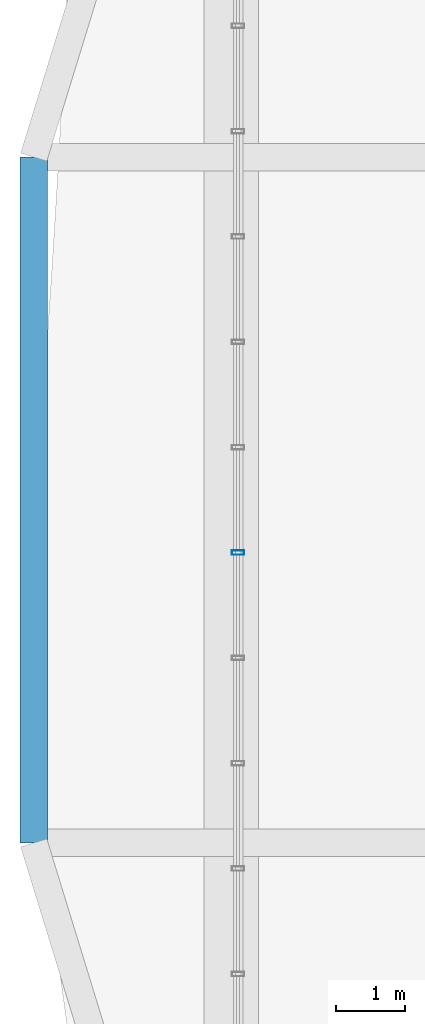
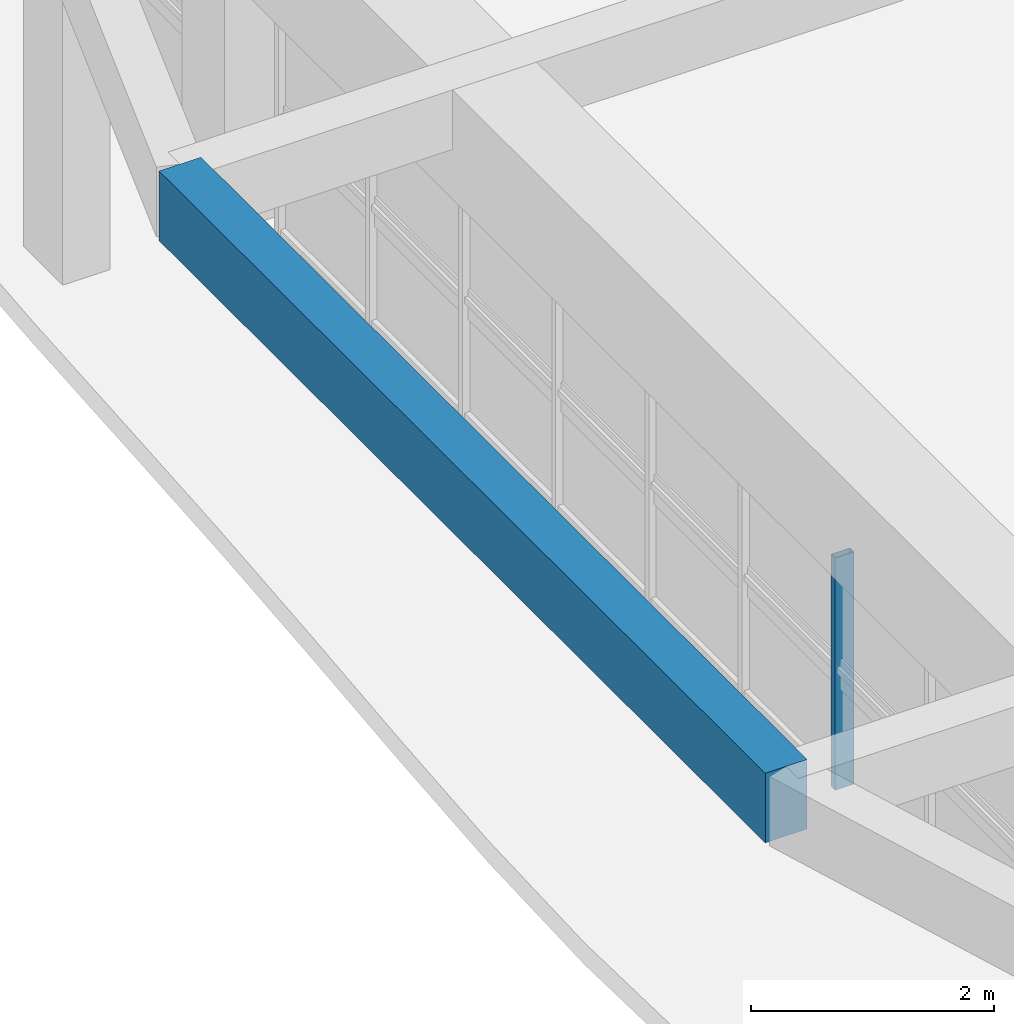
# One storey, part 5 of 25: 1 beam, 1 member, 1 element without a shape of its own.
"""IFC4 building model written with IfcOpenShell, lengths in metres."""

from ifc_helpers import new_model, si_unit, direction, frame, origin, origin_2d, place, context, subcontext, project, spatial, rectangle, hollow_rectangle, extrude, source, transform, mapped, material, layer, layer_set, material_profile, profile_set, type_object, element, aggregate, save


model = new_model("IFC4")

# Units and contexts
model_context = context("Model", 3, precision=1e-05, world=origin(), true_north=direction((0.0, 1.0)))
body_context = subcontext(model_context, "Body", "Model", "MODEL_VIEW")
ifc_project = project(units=[si_unit("LENGTHUNIT", "METRE"), si_unit("AREAUNIT", "SQUARE_METRE"), si_unit("VOLUMEUNIT", "CUBIC_METRE"), si_unit("PLANEANGLEUNIT", "RADIAN"), si_unit("MASSUNIT", "GRAM", prefix="KILO")], contexts=[model_context])

# Site, building, storey
site_placement = place(None, origin())
site = spatial("IfcSite", under=ifc_project, at=site_placement, CompositionType="ELEMENT")
building_placement = place(site_placement, origin())
building = spatial("IfcBuilding", under=site, at=building_placement, Name="Saelheon Loggia Tower", CompositionType="ELEMENT")
storey_placement = place(building_placement, frame((0.0, 0.0, 206.5)))
storey = spatial("IfcBuildingStorey", under=building, at=storey_placement, Name="L64", CompositionType="ELEMENT", Elevation=206.5)

# Beam
ifc_material_1 = material(Name="Precast Concrete C45/55", Category="concrete")
ifc_material_profile_1 = material_profile(ifc_material_1, rectangle(XDim=0.39990234375, YDim=0.699951171875, at=origin_2d()), Name="RC-400x700")
ifc_profile_set_1 = profile_set([ifc_material_profile_1], Name="Precast Concrete C45/55")
beam_type = type_object("IfcBeamType", Name="Beam_LoggiaSpandrel_RC400x700", PredefinedType="SPANDREL", material=ifc_profile_set_1)
shared_shape_1 = source(origin(), body_context, "Body", "SweptSolid", [
    extrude(rectangle(XDim=0.39990234375, YDim=0.699951171875, at=origin_2d()), origin(), (0.0, 0.0, 1.0), 10.0),
])
beam_placement = place(storey_placement, frame((16.6201171875, 22.0, 3.449951171875), z_axis=(0.0, 1.0, 0.0), x_axis=(-1.0, 0.0, 0.0)))
element("IfcBeam", 1, at=beam_placement, inside=storey, type_object=beam_type, Name="L64 Curved Loggia Spandrel W 2", PredefinedType="SPANDREL", context=body_context, shape_type="MappedRepresentation", body=[
    mapped(shared_shape_1, transform((0.0, 0.0, 0.0), scale=1.0)),
])

# Curtain wall, member
ifc_material_2 = material(Name="Anodised Aluminium Acoustic Louvre Curtain Wall", Category="aluminium")
ifc_layer = layer(ifc_material_2, 0.179931640625)
ifc_layer_set = layer_set([ifc_layer], Name="Anodised Aluminium Acoustic Louvre Curtain Wall")
curtain_wall_type = type_object("IfcCurtainWallType", Name="CW_RefugeAcoustic", PredefinedType="NOTDEFINED", material=ifc_layer_set)
curtain_wall_placement = place(storey_placement, origin())
curtain_wall = element("IfcCurtainWall", 2, at=curtain_wall_placement, inside=storey, type_object=curtain_wall_type, Name="L64 W Refuge Acoustic Curtain Wall 2", PredefinedType="NOTDEFINED")
ifc_material_3 = material(Name="Anodised Aluminium 6063-T6", Category="aluminium")
ifc_material_profile_2 = material_profile(ifc_material_3, hollow_rectangle(XDim=0.06494140625, YDim=0.179931640625, WallThickness=0.00390625, at=origin_2d()), Name="RHS-180x65x4")
ifc_profile_set_2 = profile_set([ifc_material_profile_2], Name="Anodised Aluminium 6063-T6")
member_type = type_object("IfcMemberType", Name="CW_RefugeAcoustic_Mullion", PredefinedType="MULLION", material=ifc_profile_set_2)
shared_shape_2 = source(origin(), body_context, "Body", "SweptSolid", [
    extrude(hollow_rectangle(XDim=0.06494140625, YDim=0.179931640625, WallThickness=0.00390625, at=origin_2d()), origin(), (0.0, 0.0, 1.0), 2.340087890625),
])
member_placement = place(storey_placement, frame((19.60009765625, 26.23193359375, 0.0), z_axis=(0.0, 0.0, 1.0), x_axis=(0.0, 1.0, 0.0)))
member = element("IfcMember", 3, at=member_placement, type_object=member_type, Name="CW5 mullion 6", PredefinedType="MULLION", context=body_context, shape_type="MappedRepresentation", body=[
    mapped(shared_shape_2, transform((0.0, 0.0, 0.0), scale=1.0)),
])
aggregate(curtain_wall, [member])

save(model, "model.ifc")
